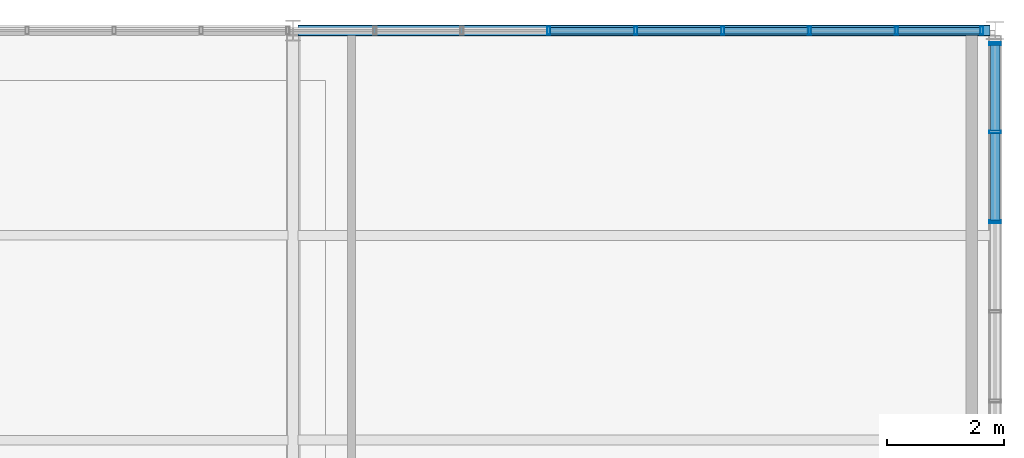
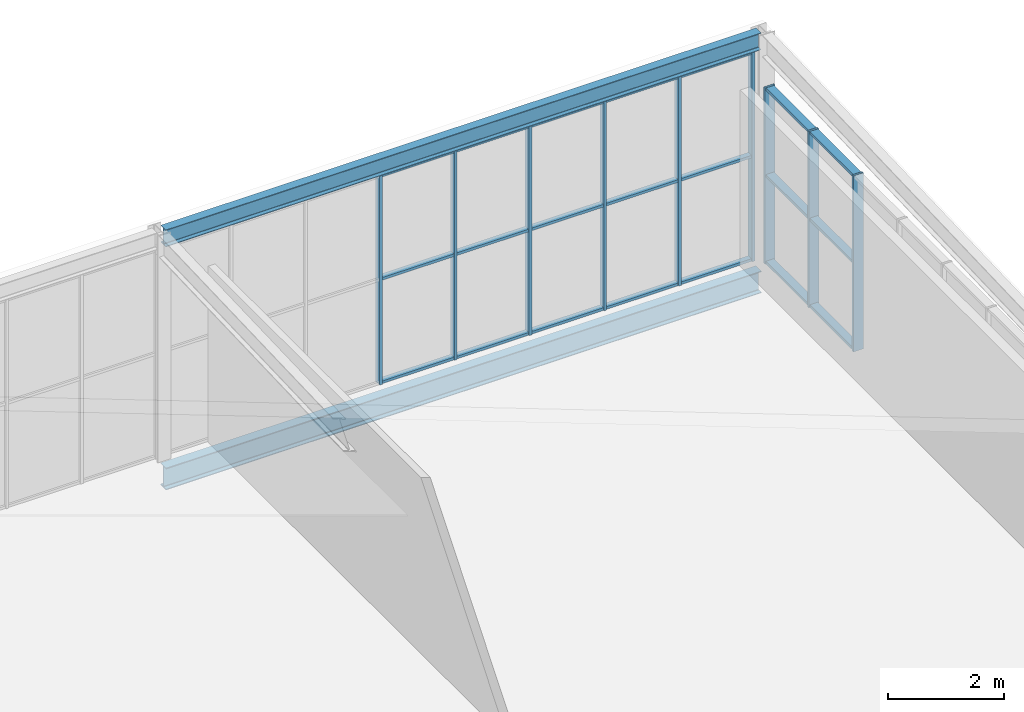
# One storey, part 22 of 27: 30 members, 2 beams, 2 elements without a shape of their own.
"""IFC4 building model written with IfcOpenShell, lengths in metres."""

from ifc_helpers import new_model, si_unit, direction, frame, origin, origin_2d, place, context, subcontext, project, spatial, hollow_rectangle, i_section, extrude, material, layer, layer_set, material_profile, profile_set, type_object, element, aggregate, save


model = new_model("IFC4")

# Units and contexts
model_context = context("Model", 3, precision=1e-05, world=origin(), true_north=direction((0.0, 1.0)))
body_context = subcontext(model_context, "Body", "Model", "MODEL_VIEW")
ifc_project = project(units=[si_unit("LENGTHUNIT", "METRE"), si_unit("AREAUNIT", "SQUARE_METRE"), si_unit("VOLUMEUNIT", "CUBIC_METRE"), si_unit("PLANEANGLEUNIT", "RADIAN"), si_unit("MASSUNIT", "GRAM", prefix="KILO")], contexts=[model_context])

# Site, building, storey
site_placement = place(None, origin())
site = spatial("IfcSite", under=ifc_project, at=site_placement, CompositionType="ELEMENT")
building_placement = place(site_placement, origin())
building = spatial("IfcBuilding", under=site, at=building_placement, Name="Solvenia Promenade Tram Depot", CompositionType="ELEMENT")
storey_placement = place(building_placement, frame((0.0, 0.0, 13.5)))
storey = spatial("IfcBuildingStorey", under=building, at=storey_placement, Name="L03", CompositionType="ELEMENT", Elevation=13.5)

# Curtain wall, members
ifc_material_1 = material(Name="Anodized aluminium AW-6063 T6", Category="aluminium")
ifc_layer = layer(ifc_material_1, 0.199951171875, Name="Anodized aluminium AW-6063 T6", Category="aluminium")
ifc_layer_set = layer_set([ifc_layer], Name="Anodized aluminium AW-6063 T6")
curtain_wall_type = type_object("IfcCurtainWallType", Name="CW-OCC-1500", PredefinedType="NOTDEFINED", material=ifc_layer_set)
curtain_wall_1_placement = place(storey_placement, origin())
curtain_wall_1 = element("IfcCurtainWall", 1, at=curtain_wall_1_placement, inside=storey, type_object=curtain_wall_type, Name="Curtain Wall CW-L03-V2E", PredefinedType="NOTDEFINED")
ifc_material_profile_1 = material_profile(ifc_material_1, hollow_rectangle(XDim=0.199951171875, YDim=0.048095703125, WallThickness=0.00390625, at=origin_2d()), Name="ALU-M3", Category="aluminium")
ifc_profile_set_1 = profile_set([ifc_material_profile_1], Name="Anodized aluminium AW-6063 T6")
member_type_1 = type_object("IfcMemberType", Name="CWM-Mullion-3", PredefinedType="MULLION", material=ifc_profile_set_1)
member_1_placement = place(storey_placement, frame((162.0, 62.7333984375, 0.0), z_axis=(0.0, 0.0, 1.0), x_axis=(-1.0, 0.0, 0.0)))
member_1 = element("IfcMember", 2, at=member_1_placement, type_object=member_type_1, Name="CW-8 mullion 17", PredefinedType="MULLION", context=body_context, shape_type="SweptSolid", body=[
    extrude(hollow_rectangle(XDim=0.199951171875, YDim=0.048095703125, WallThickness=0.00390625, at=origin_2d()), origin(), (0.0, 0.0, 1.0), 3.699951171875),
])
member_2_placement = place(storey_placement, frame((162.0, 64.2666015625, 0.0), z_axis=(0.0, 0.0, 1.0), x_axis=(-1.0, 0.0, 0.0)))
member_2 = element("IfcMember", 3, at=member_2_placement, type_object=member_type_1, Name="CW-8 mullion 18", PredefinedType="MULLION", context=body_context, shape_type="SweptSolid", body=[
    extrude(hollow_rectangle(XDim=0.199951171875, YDim=0.048095703125, WallThickness=0.00390625, at=origin_2d()), origin(), (0.0, 0.0, 1.0), 3.699951171875),
])
member_3_placement = place(storey_placement, frame((162.0, 65.77587890625, 0.0), z_axis=(0.0, 0.0, 1.0), x_axis=(-1.0, 0.0, 0.0)))
member_3 = element("IfcMember", 4, at=member_3_placement, type_object=member_type_1, Name="CW-8 mullion 19", PredefinedType="MULLION", context=body_context, shape_type="SweptSolid", body=[
    extrude(hollow_rectangle(XDim=0.199951171875, YDim=0.048095703125, WallThickness=0.00390625, at=origin_2d()), origin(), (0.0, 0.0, 1.0), 3.699951171875),
])

curtain_wall_2_placement = place(storey_placement, origin())
curtain_wall_2 = element("IfcCurtainWall", 5, at=curtain_wall_2_placement, inside=storey, type_object=curtain_wall_type, Name="Curtain Wall CW-L03-V2N", PredefinedType="NOTDEFINED")
ifc_material_profile_2 = material_profile(ifc_material_1, hollow_rectangle(XDim=0.139892578125, YDim=0.054931640625, WallThickness=0.00390625, at=origin_2d()), Name="ALU-M4", Category="aluminium")
ifc_profile_set_2 = profile_set([ifc_material_profile_2], Name="Anodized aluminium AW-6063 T6")
member_type_2 = type_object("IfcMemberType", Name="CWM-Mullion-4", PredefinedType="MULLION", material=ifc_profile_set_2)
member_4_placement = place(storey_placement, frame((154.371337890625, 66.0, 0.0), z_axis=(0.0, 0.0, 1.0), x_axis=(0.0, 1.0, 0.0)))
member_4 = element("IfcMember", 6, at=member_4_placement, type_object=member_type_2, Name="CW-8 mullion 24", PredefinedType="MULLION", context=body_context, shape_type="SweptSolid", body=[
    extrude(hollow_rectangle(XDim=0.139892578125, YDim=0.054931640625, WallThickness=0.00390625, at=origin_2d()), origin(), (0.0, 0.0, 1.0), 4.39990234375),
])
member_5_placement = place(storey_placement, frame((155.857177734375, 66.0, 0.0), z_axis=(0.0, 0.0, 1.0), x_axis=(0.0, 1.0, 0.0)))
member_5 = element("IfcMember", 7, at=member_5_placement, type_object=member_type_2, Name="CW-8 mullion 25", PredefinedType="MULLION", context=body_context, shape_type="SweptSolid", body=[
    extrude(hollow_rectangle(XDim=0.139892578125, YDim=0.054931640625, WallThickness=0.00390625, at=origin_2d()), origin(), (0.0, 0.0, 1.0), 4.39990234375),
])
member_6_placement = place(storey_placement, frame((157.3427734375, 66.0, 0.0), z_axis=(0.0, 0.0, 1.0), x_axis=(0.0, 1.0, 0.0)))
member_6 = element("IfcMember", 8, at=member_6_placement, type_object=member_type_2, Name="CW-8 mullion 26", PredefinedType="MULLION", context=body_context, shape_type="SweptSolid", body=[
    extrude(hollow_rectangle(XDim=0.139892578125, YDim=0.054931640625, WallThickness=0.00390625, at=origin_2d()), origin(), (0.0, 0.0, 1.0), 4.39990234375),
])
member_7_placement = place(storey_placement, frame((158.82861328125, 66.0, 0.0), z_axis=(0.0, 0.0, 1.0), x_axis=(0.0, 1.0, 0.0)))
member_7 = element("IfcMember", 9, at=member_7_placement, type_object=member_type_2, Name="CW-8 mullion 27", PredefinedType="MULLION", context=body_context, shape_type="SweptSolid", body=[
    extrude(hollow_rectangle(XDim=0.139892578125, YDim=0.054931640625, WallThickness=0.00390625, at=origin_2d()), origin(), (0.0, 0.0, 1.0), 4.39990234375),
])
member_8_placement = place(storey_placement, frame((160.314208984375, 66.0, 0.0), z_axis=(0.0, 0.0, 1.0), x_axis=(0.0, 1.0, 0.0)))
member_8 = element("IfcMember", 10, at=member_8_placement, type_object=member_type_2, Name="CW-8 mullion 28", PredefinedType="MULLION", context=body_context, shape_type="SweptSolid", body=[
    extrude(hollow_rectangle(XDim=0.139892578125, YDim=0.054931640625, WallThickness=0.00390625, at=origin_2d()), origin(), (0.0, 0.0, 1.0), 4.39990234375),
])
member_9_placement = place(storey_placement, frame((161.7724609375, 66.0, 0.0), z_axis=(0.0, 0.0, 1.0), x_axis=(0.0, 1.0, 0.0)))
member_9 = element("IfcMember", 11, at=member_9_placement, type_object=member_type_2, Name="CW-8 mullion 29", PredefinedType="MULLION", context=body_context, shape_type="SweptSolid", body=[
    extrude(hollow_rectangle(XDim=0.139892578125, YDim=0.054931640625, WallThickness=0.00390625, at=origin_2d()), origin(), (0.0, 0.0, 1.0), 4.39990234375),
])

# Member
ifc_material_profile_3 = material_profile(ifc_material_1, hollow_rectangle(XDim=0.159912109375, YDim=0.05810546875, WallThickness=0.00390625, at=origin_2d()), Name="ALU-T3", Category="aluminium")
ifc_profile_set_3 = profile_set([ifc_material_profile_3], Name="Anodized aluminium AW-6063 T6")
member_type_3 = type_object("IfcMemberType", Name="CWT-Transom-3", PredefinedType="USERDEFINED", material=ifc_profile_set_3)
member_10_placement = place(storey_placement, frame((162.0, 62.75732421875, 0.029052734375), z_axis=(0.0, 1.0, 0.0), x_axis=(-1.0, 0.0, 0.0)))
member_10 = element("IfcMember", 12, at=member_10_placement, type_object=member_type_3, Name="CW-8 transom 17.1", ObjectType="TRANSOM", PredefinedType="USERDEFINED", context=body_context, shape_type="SweptSolid", body=[
    extrude(hollow_rectangle(XDim=0.159912109375, YDim=0.05810546875, WallThickness=0.00390625, at=origin_2d()), origin(), (0.0, 0.0, 1.0), 1.4853515625),
])

member_11_placement = place(storey_placement, frame((162.0, 62.75732421875, 1.85009765625), z_axis=(0.0, 1.0, 0.0), x_axis=(-1.0, 0.0, 0.0)))
member_11 = element("IfcMember", 13, at=member_11_placement, type_object=member_type_3, Name="CW-8 transom 17.2", ObjectType="TRANSOM", PredefinedType="USERDEFINED", context=body_context, shape_type="SweptSolid", body=[
    extrude(hollow_rectangle(XDim=0.159912109375, YDim=0.05810546875, WallThickness=0.00390625, at=origin_2d()), origin(), (0.0, 0.0, 1.0), 1.4853515625),
])

member_12_placement = place(storey_placement, frame((162.0, 62.75732421875, 3.6708984375), z_axis=(0.0, 1.0, 0.0), x_axis=(-1.0, 0.0, 0.0)))
member_12 = element("IfcMember", 14, at=member_12_placement, type_object=member_type_3, Name="CW-8 transom 17.3", ObjectType="TRANSOM", PredefinedType="USERDEFINED", context=body_context, shape_type="SweptSolid", body=[
    extrude(hollow_rectangle(XDim=0.159912109375, YDim=0.05810546875, WallThickness=0.00390625, at=origin_2d()), origin(), (0.0, 0.0, 1.0), 1.4853515625),
])

member_13_placement = place(storey_placement, frame((162.0, 64.290771484375, 0.029052734375), z_axis=(0.0, 1.0, 0.0), x_axis=(-1.0, 0.0, 0.0)))
member_13 = element("IfcMember", 15, at=member_13_placement, type_object=member_type_3, Name="CW-8 transom 18.1", ObjectType="TRANSOM", PredefinedType="USERDEFINED", context=body_context, shape_type="SweptSolid", body=[
    extrude(hollow_rectangle(XDim=0.159912109375, YDim=0.05810546875, WallThickness=0.00390625, at=origin_2d()), origin(), (0.0, 0.0, 1.0), 1.461181640625),
])

member_14_placement = place(storey_placement, frame((162.0, 64.290771484375, 1.85009765625), z_axis=(0.0, 1.0, 0.0), x_axis=(-1.0, 0.0, 0.0)))
member_14 = element("IfcMember", 16, at=member_14_placement, type_object=member_type_3, Name="CW-8 transom 18.2", ObjectType="TRANSOM", PredefinedType="USERDEFINED", context=body_context, shape_type="SweptSolid", body=[
    extrude(hollow_rectangle(XDim=0.159912109375, YDim=0.05810546875, WallThickness=0.00390625, at=origin_2d()), origin(), (0.0, 0.0, 1.0), 1.461181640625),
])

member_15_placement = place(storey_placement, frame((162.0, 64.290771484375, 3.6708984375), z_axis=(0.0, 1.0, 0.0), x_axis=(-1.0, 0.0, 0.0)))
member_15 = element("IfcMember", 17, at=member_15_placement, type_object=member_type_3, Name="CW-8 transom 18.3", ObjectType="TRANSOM", PredefinedType="USERDEFINED", context=body_context, shape_type="SweptSolid", body=[
    extrude(hollow_rectangle(XDim=0.159912109375, YDim=0.05810546875, WallThickness=0.00390625, at=origin_2d()), origin(), (0.0, 0.0, 1.0), 1.461181640625),
])

aggregate(curtain_wall_1, [member_1, member_2, member_3, member_10, member_11, member_12, member_13, member_14, member_15])

ifc_material_profile_4 = material_profile(ifc_material_1, hollow_rectangle(XDim=0.110107421875, YDim=0.054931640625, WallThickness=0.00390625, at=origin_2d()), Name="ALU-T4", Category="aluminium")
ifc_profile_set_4 = profile_set([ifc_material_profile_4], Name="Anodized aluminium AW-6063 T6")
member_type_4 = type_object("IfcMemberType", Name="CWT-Transom-4", PredefinedType="USERDEFINED", material=ifc_profile_set_4)
member_16_placement = place(storey_placement, frame((154.39892578125, 66.0, 0.027587890625), z_axis=(1.0, 0.0, 0.0), x_axis=(0.0, 1.0, 0.0)))
member_16 = element("IfcMember", 18, at=member_16_placement, type_object=member_type_4, Name="CW-8 transom 24.1", ObjectType="TRANSOM", PredefinedType="USERDEFINED", context=body_context, shape_type="SweptSolid", body=[
    extrude(hollow_rectangle(XDim=0.110107421875, YDim=0.054931640625, WallThickness=0.00390625, at=origin_2d()), origin(), (0.0, 0.0, 1.0), 1.4306640625),
])

member_17_placement = place(storey_placement, frame((154.39892578125, 66.0, 2.199951171875), z_axis=(1.0, 0.0, 0.0), x_axis=(0.0, 1.0, 0.0)))
member_17 = element("IfcMember", 19, at=member_17_placement, type_object=member_type_4, Name="CW-8 transom 24.2", ObjectType="TRANSOM", PredefinedType="USERDEFINED", context=body_context, shape_type="SweptSolid", body=[
    extrude(hollow_rectangle(XDim=0.110107421875, YDim=0.054931640625, WallThickness=0.00390625, at=origin_2d()), origin(), (0.0, 0.0, 1.0), 1.4306640625),
])

member_18_placement = place(storey_placement, frame((154.39892578125, 66.0, 4.37255859375), z_axis=(1.0, 0.0, 0.0), x_axis=(0.0, 1.0, 0.0)))
member_18 = element("IfcMember", 20, at=member_18_placement, type_object=member_type_4, Name="CW-8 transom 24.3", ObjectType="TRANSOM", PredefinedType="USERDEFINED", context=body_context, shape_type="SweptSolid", body=[
    extrude(hollow_rectangle(XDim=0.110107421875, YDim=0.054931640625, WallThickness=0.00390625, at=origin_2d()), origin(), (0.0, 0.0, 1.0), 1.4306640625),
])

member_19_placement = place(storey_placement, frame((155.884521484375, 66.0, 0.027587890625), z_axis=(1.0, 0.0, 0.0), x_axis=(0.0, 1.0, 0.0)))
member_19 = element("IfcMember", 21, at=member_19_placement, type_object=member_type_4, Name="CW-8 transom 25.1", ObjectType="TRANSOM", PredefinedType="USERDEFINED", context=body_context, shape_type="SweptSolid", body=[
    extrude(hollow_rectangle(XDim=0.110107421875, YDim=0.054931640625, WallThickness=0.00390625, at=origin_2d()), origin(), (0.0, 0.0, 1.0), 1.430908203125),
])

member_20_placement = place(storey_placement, frame((155.884521484375, 66.0, 2.199951171875), z_axis=(1.0, 0.0, 0.0), x_axis=(0.0, 1.0, 0.0)))
member_20 = element("IfcMember", 22, at=member_20_placement, type_object=member_type_4, Name="CW-8 transom 25.2", ObjectType="TRANSOM", PredefinedType="USERDEFINED", context=body_context, shape_type="SweptSolid", body=[
    extrude(hollow_rectangle(XDim=0.110107421875, YDim=0.054931640625, WallThickness=0.00390625, at=origin_2d()), origin(), (0.0, 0.0, 1.0), 1.430908203125),
])

member_21_placement = place(storey_placement, frame((155.884521484375, 66.0, 4.37255859375), z_axis=(1.0, 0.0, 0.0), x_axis=(0.0, 1.0, 0.0)))
member_21 = element("IfcMember", 23, at=member_21_placement, type_object=member_type_4, Name="CW-8 transom 25.3", ObjectType="TRANSOM", PredefinedType="USERDEFINED", context=body_context, shape_type="SweptSolid", body=[
    extrude(hollow_rectangle(XDim=0.110107421875, YDim=0.054931640625, WallThickness=0.00390625, at=origin_2d()), origin(), (0.0, 0.0, 1.0), 1.430908203125),
])

member_22_placement = place(storey_placement, frame((157.370361328125, 66.0, 0.027587890625), z_axis=(1.0, 0.0, 0.0), x_axis=(0.0, 1.0, 0.0)))
member_22 = element("IfcMember", 24, at=member_22_placement, type_object=member_type_4, Name="CW-8 transom 26.1", ObjectType="TRANSOM", PredefinedType="USERDEFINED", context=body_context, shape_type="SweptSolid", body=[
    extrude(hollow_rectangle(XDim=0.110107421875, YDim=0.054931640625, WallThickness=0.00390625, at=origin_2d()), origin(), (0.0, 0.0, 1.0), 1.4306640625),
])

member_23_placement = place(storey_placement, frame((157.370361328125, 66.0, 2.199951171875), z_axis=(1.0, 0.0, 0.0), x_axis=(0.0, 1.0, 0.0)))
member_23 = element("IfcMember", 25, at=member_23_placement, type_object=member_type_4, Name="CW-8 transom 26.2", ObjectType="TRANSOM", PredefinedType="USERDEFINED", context=body_context, shape_type="SweptSolid", body=[
    extrude(hollow_rectangle(XDim=0.110107421875, YDim=0.054931640625, WallThickness=0.00390625, at=origin_2d()), origin(), (0.0, 0.0, 1.0), 1.4306640625),
])

member_24_placement = place(storey_placement, frame((157.370361328125, 66.0, 4.37255859375), z_axis=(1.0, 0.0, 0.0), x_axis=(0.0, 1.0, 0.0)))
member_24 = element("IfcMember", 26, at=member_24_placement, type_object=member_type_4, Name="CW-8 transom 26.3", ObjectType="TRANSOM", PredefinedType="USERDEFINED", context=body_context, shape_type="SweptSolid", body=[
    extrude(hollow_rectangle(XDim=0.110107421875, YDim=0.054931640625, WallThickness=0.00390625, at=origin_2d()), origin(), (0.0, 0.0, 1.0), 1.4306640625),
])

member_25_placement = place(storey_placement, frame((158.85595703125, 66.0, 0.027587890625), z_axis=(1.0, 0.0, 0.0), x_axis=(0.0, 1.0, 0.0)))
member_25 = element("IfcMember", 27, at=member_25_placement, type_object=member_type_4, Name="CW-8 transom 27.1", ObjectType="TRANSOM", PredefinedType="USERDEFINED", context=body_context, shape_type="SweptSolid", body=[
    extrude(hollow_rectangle(XDim=0.110107421875, YDim=0.054931640625, WallThickness=0.00390625, at=origin_2d()), origin(), (0.0, 0.0, 1.0), 1.430908203125),
])

member_26_placement = place(storey_placement, frame((158.85595703125, 66.0, 2.199951171875), z_axis=(1.0, 0.0, 0.0), x_axis=(0.0, 1.0, 0.0)))
member_26 = element("IfcMember", 28, at=member_26_placement, type_object=member_type_4, Name="CW-8 transom 27.2", ObjectType="TRANSOM", PredefinedType="USERDEFINED", context=body_context, shape_type="SweptSolid", body=[
    extrude(hollow_rectangle(XDim=0.110107421875, YDim=0.054931640625, WallThickness=0.00390625, at=origin_2d()), origin(), (0.0, 0.0, 1.0), 1.430908203125),
])

member_27_placement = place(storey_placement, frame((158.85595703125, 66.0, 4.37255859375), z_axis=(1.0, 0.0, 0.0), x_axis=(0.0, 1.0, 0.0)))
member_27 = element("IfcMember", 29, at=member_27_placement, type_object=member_type_4, Name="CW-8 transom 27.3", ObjectType="TRANSOM", PredefinedType="USERDEFINED", context=body_context, shape_type="SweptSolid", body=[
    extrude(hollow_rectangle(XDim=0.110107421875, YDim=0.054931640625, WallThickness=0.00390625, at=origin_2d()), origin(), (0.0, 0.0, 1.0), 1.430908203125),
])

member_28_placement = place(storey_placement, frame((160.341796875, 66.0, 0.027587890625), z_axis=(1.0, 0.0, 0.0), x_axis=(0.0, 1.0, 0.0)))
member_28 = element("IfcMember", 30, at=member_28_placement, type_object=member_type_4, Name="CW-8 transom 28.1", ObjectType="TRANSOM", PredefinedType="USERDEFINED", context=body_context, shape_type="SweptSolid", body=[
    extrude(hollow_rectangle(XDim=0.110107421875, YDim=0.054931640625, WallThickness=0.00390625, at=origin_2d()), origin(), (0.0, 0.0, 1.0), 1.4033203125),
])

member_29_placement = place(storey_placement, frame((160.341796875, 66.0, 2.199951171875), z_axis=(1.0, 0.0, 0.0), x_axis=(0.0, 1.0, 0.0)))
member_29 = element("IfcMember", 31, at=member_29_placement, type_object=member_type_4, Name="CW-8 transom 28.2", ObjectType="TRANSOM", PredefinedType="USERDEFINED", context=body_context, shape_type="SweptSolid", body=[
    extrude(hollow_rectangle(XDim=0.110107421875, YDim=0.054931640625, WallThickness=0.00390625, at=origin_2d()), origin(), (0.0, 0.0, 1.0), 1.4033203125),
])

member_30_placement = place(storey_placement, frame((160.341796875, 66.0, 4.37255859375), z_axis=(1.0, 0.0, 0.0), x_axis=(0.0, 1.0, 0.0)))
member_30 = element("IfcMember", 32, at=member_30_placement, type_object=member_type_4, Name="CW-8 transom 28.3", ObjectType="TRANSOM", PredefinedType="USERDEFINED", context=body_context, shape_type="SweptSolid", body=[
    extrude(hollow_rectangle(XDim=0.110107421875, YDim=0.054931640625, WallThickness=0.00390625, at=origin_2d()), origin(), (0.0, 0.0, 1.0), 1.4033203125),
])

aggregate(curtain_wall_2, [member_4, member_5, member_6, member_7, member_8, member_9, member_16, member_17, member_18, member_19, member_20, member_21, member_22, member_23, member_24, member_25, member_26, member_27, member_28, member_29, member_30])

# Beams
ifc_material_2 = material(Name="Structural steel ASTM A992 Gr. 50", Category="steel")
ifc_material_profile_5 = material_profile(ifc_material_2, i_section(OverallWidth=0.172119140625, OverallDepth=0.35791015625, WebThickness=0.0078125, FlangeThickness=0.01318359375, FilletRadius=0.010986328125, at=origin_2d()), Name="W360x57", Category="steel")
ifc_profile_set_5 = profile_set([ifc_material_profile_5], Name="Structural steel ASTM A992 Gr. 50")
beam_type_1 = type_object("IfcBeamType", Name="Spandrel-W360x57", PredefinedType="SPANDREL", material=ifc_profile_set_5)
beam_1_placement = place(storey_placement, frame((150.0849609375, 66.0, 4.5810546875), z_axis=(1.0, 0.0, 0.0), x_axis=(0.0, 1.0, 0.0)))
element("IfcBeam", 33, at=beam_1_placement, inside=storey, type_object=beam_type_1, Name="Control Hub Roof Girder BM-L03-0905", PredefinedType="SPANDREL", context=body_context, shape_type="SweptSolid", body=[
    extrude(i_section(OverallWidth=0.172119140625, OverallDepth=0.35791015625, WebThickness=0.0078125, FlangeThickness=0.01318359375, FilletRadius=0.010986328125, at=origin_2d()), origin(), (0.0, 0.0, 1.0), 11.830078125),
])
ifc_material_profile_6 = material_profile(ifc_material_2, i_section(OverallWidth=0.19091796875, OverallDepth=0.4599609375, WebThickness=0.010009765625, FlangeThickness=0.01611328125, FilletRadius=0.012939453125, at=origin_2d()), Name="W460x82", Category="steel")
ifc_profile_set_6 = profile_set([ifc_material_profile_6], Name="Structural steel ASTM A992 Gr. 50")
beam_type_2 = type_object("IfcBeamType", Name="Spandrel-W460x82", PredefinedType="SPANDREL", material=ifc_profile_set_6)
beam_2_placement = place(storey_placement, frame((150.0849609375, 66.0, -0.469970703125), z_axis=(1.0, 0.0, 0.0), x_axis=(0.0, 1.0, 0.0)))
element("IfcBeam", 34, at=beam_2_placement, inside=storey, type_object=beam_type_2, Name="Perimeter Spandrel BM-L03-0609", PredefinedType="SPANDREL", context=body_context, shape_type="SweptSolid", body=[
    extrude(i_section(OverallWidth=0.19091796875, OverallDepth=0.4599609375, WebThickness=0.010009765625, FlangeThickness=0.01611328125, FilletRadius=0.012939453125, at=origin_2d()), origin(), (0.0, 0.0, 1.0), 11.830078125),
])

save(model, "model.ifc")
